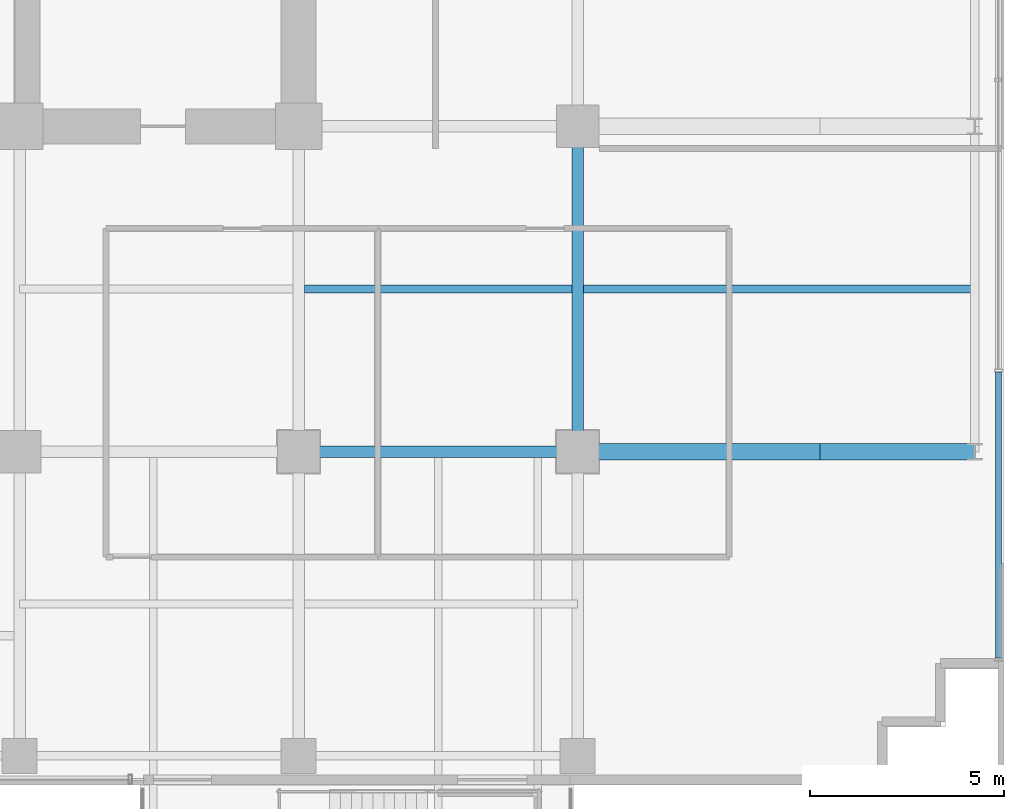
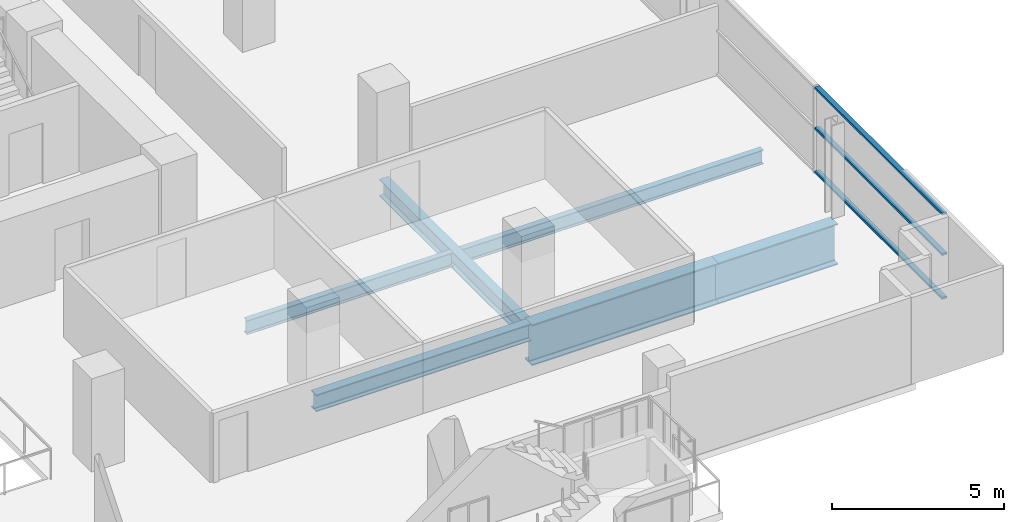
# One storey, part 12 of 31: 6 beams, 3 members, 1 element without a shape of its own.
"""IFC4 building model written with IfcOpenShell, lengths in metres."""

from ifc_helpers import new_model, si_unit, direction, frame, origin, origin_2d, place, context, subcontext, project, spatial, hollow_rectangle, i_section, extrude, source, transform, mapped, material, layer, layer_set, material_profile, profile_set, type_object, element, aggregate, save


model = new_model("IFC4")

# Units and contexts
model_context = context("Model", 3, precision=1e-05, world=origin(), true_north=direction((0.0, 1.0)))
body_context = subcontext(model_context, "Body", "Model", "MODEL_VIEW")
ifc_project = project(units=[si_unit("LENGTHUNIT", "METRE"), si_unit("AREAUNIT", "SQUARE_METRE"), si_unit("VOLUMEUNIT", "CUBIC_METRE"), si_unit("PLANEANGLEUNIT", "RADIAN"), si_unit("MASSUNIT", "GRAM", prefix="KILO")], contexts=[model_context])

# Site, building, storey
site_placement = place(None, origin())
site = spatial("IfcSite", under=ifc_project, at=site_placement, CompositionType="ELEMENT")
building_placement = place(site_placement, origin())
building = spatial("IfcBuilding", under=site, at=building_placement, Name="Zarnakvel Exchange Tower", CompositionType="ELEMENT")
storey_placement = place(building_placement, frame((0.0, 0.0, 53.800048828125)))
storey = spatial("IfcBuildingStorey", under=building, at=storey_placement, Name="L14", CompositionType="ELEMENT", Elevation=53.800048828125)

# Beams
ifc_material_1 = material(Name="Steel S355", Category="steel")
ifc_material_profile_1 = material_profile(ifc_material_1, i_section(OverallWidth=0.199951171875, OverallDepth=0.5, WebThickness=0.01025390625, FlangeThickness=0.01611328125, FilletRadius=0.02099609375, at=origin_2d()))
ifc_profile_set_1 = profile_set([ifc_material_profile_1], Name="Steel S355")
beam_type_1 = type_object("IfcBeamType", Name="B-04", PredefinedType="JOIST", material=ifc_profile_set_1)
beam_1_placement = place(storey_placement, frame((14.550048828125, -5.39990234375, -0.47509765625), z_axis=(1.0, 0.0, 0.0), x_axis=(0.0, 1.0, 0.0)))
element("IfcBeam", 1, at=beam_1_placement, inside=storey, type_object=beam_type_1, Name="L14 Composite Floor Secondary Joist", PredefinedType="JOIST", context=body_context, shape_type="SweptSolid", body=[
    extrude(i_section(OverallWidth=0.199951171875, OverallDepth=0.5, WebThickness=0.01025390625, FlangeThickness=0.01611328125, FilletRadius=0.02099609375, at=origin_2d()), origin(), (0.0, 0.0, 1.0), 6.89990234375),
])
beam_2_placement = place(storey_placement, frame((21.75, -5.39990234375, -0.47509765625), z_axis=(1.0, 0.0, 0.0), x_axis=(0.0, 1.0, 0.0)))
element("IfcBeam", 2, at=beam_2_placement, inside=storey, type_object=beam_type_1, Name="L14 Composite Floor Secondary Joist", PredefinedType="JOIST", context=body_context, shape_type="SweptSolid", body=[
    extrude(i_section(OverallWidth=0.199951171875, OverallDepth=0.5, WebThickness=0.01025390625, FlangeThickness=0.01611328125, FilletRadius=0.02099609375, at=origin_2d()), origin(), (0.0, 0.0, 1.0), 10.10009765625),
])
ifc_material_profile_2 = material_profile(ifc_material_1, i_section(OverallWidth=0.300048828125, OverallDepth=0.60009765625, WebThickness=0.015380859375, FlangeThickness=0.030029296875, FilletRadius=0.027099609375, at=origin_2d()))
ifc_profile_set_2 = profile_set([ifc_material_profile_2], Name="Steel S355")
beam_type_2 = type_object("IfcBeamType", Name="G-04", PredefinedType="BEAM", material=ifc_profile_set_2)
beam_3_placement = place(storey_placement, frame((14.39990234375, -9.60009765625, -0.525146484375), z_axis=(1.0, 0.0, 0.0), x_axis=(0.0, 1.0, 0.0)))
element("IfcBeam", 3, at=beam_3_placement, inside=storey, type_object=beam_type_2, Name="L14 Tower E-W Frame Beam", PredefinedType="BEAM", context=body_context, shape_type="SweptSolid", body=[
    extrude(i_section(OverallWidth=0.300048828125, OverallDepth=0.60009765625, WebThickness=0.015380859375, FlangeThickness=0.030029296875, FilletRadius=0.027099609375, at=origin_2d()), origin(), (0.0, 0.0, 1.0), 7.2001953125),
])
beam_4_placement = place(storey_placement, frame((21.60009765625, -9.60009765625, -0.525146484375), z_axis=(0.0, 1.0, 0.0), x_axis=(-1.0, 0.0, 0.0)))
element("IfcBeam", 4, at=beam_4_placement, inside=storey, type_object=beam_type_2, Name="L14 Tower N-S Frame Beam", PredefinedType="BEAM", context=body_context, shape_type="SweptSolid", body=[
    extrude(i_section(OverallWidth=0.300048828125, OverallDepth=0.60009765625, WebThickness=0.015380859375, FlangeThickness=0.030029296875, FilletRadius=0.027099609375, at=origin_2d()), origin(), (0.0, 0.0, 1.0), 8.400146484375),
])
ifc_material_2 = material(Name="Steel S460", Category="steel")
ifc_material_profile_3 = material_profile(ifc_material_2, i_section(OverallWidth=0.419921875, OverallDepth=1.449951171875, WebThickness=0.02392578125, FlangeThickness=0.0400390625, FilletRadius=0.030029296875, at=origin_2d()))
ifc_profile_set_3 = profile_set([ifc_material_profile_3], Name="Steel S460")
beam_type_3 = type_object("IfcBeamType", Name="TG-01", PredefinedType="BEAM", material=ifc_profile_set_3)
beam_5_placement = place(storey_placement, frame((21.60009765625, -9.60009765625, -0.949951171875), z_axis=(1.0, 0.0, 0.0), x_axis=(0.0, 1.0, 0.0)))
element("IfcBeam", 5, at=beam_5_placement, inside=storey, type_object=beam_type_3, Name="L14 Block-Shift Backspan Transfer TE-C", PredefinedType="BEAM", context=body_context, shape_type="SweptSolid", body=[
    extrude(i_section(OverallWidth=0.419921875, OverallDepth=1.449951171875, WebThickness=0.02392578125, FlangeThickness=0.0400390625, FilletRadius=0.030029296875, at=origin_2d()), origin(), (0.0, 0.0, 1.0), 6.25),
])
beam_6_placement = place(storey_placement, frame((27.85009765625, -9.60009765625, -0.949951171875), z_axis=(1.0, 0.0, 0.0), x_axis=(0.0, 1.0, 0.0)))
element("IfcBeam", 6, at=beam_6_placement, inside=storey, type_object=beam_type_3, Name="L14 Block-Shift Cantilever Transfer TE-C", PredefinedType="BEAM", context=body_context, shape_type="SweptSolid", body=[
    extrude(i_section(OverallWidth=0.419921875, OverallDepth=1.449951171875, WebThickness=0.02392578125, FlangeThickness=0.0400390625, FilletRadius=0.030029296875, at=origin_2d()), origin(), (0.0, 0.0, 1.0), 4.0),
])

# Curtain wall, members
ifc_material_3 = material(Name="Architectural Bronze Anodised Aluminium", Category="aluminium")
ifc_layer = layer(ifc_material_3, 0.199951171875)
ifc_layer_set = layer_set([ifc_layer], Name="Architectural Bronze Anodised Aluminium")
curtain_wall_type = type_object("IfcCurtainWallType", Name="CW-04", PredefinedType="NOTDEFINED", material=ifc_layer_set)
curtain_wall_placement = place(storey_placement, origin())
curtain_wall = element("IfcCurtainWall", 7, at=curtain_wall_placement, inside=storey, type_object=curtain_wall_type, Name="L14 Curtain Wall CW-L14-E1 (CW-04)", PredefinedType="NOTDEFINED")
ifc_material_profile_4 = material_profile(ifc_material_3, hollow_rectangle(XDim=0.159912109375, YDim=0.074951171875, WallThickness=0.00390625, at=origin_2d()))
ifc_profile_set_4 = profile_set([ifc_material_profile_4], Name="Architectural Bronze Anodised Aluminium")
member_type = type_object("IfcMemberType", Name="CWT-04", PredefinedType="USERDEFINED", material=ifc_profile_set_4)
shared_shape = source(origin(), body_context, "Body", "SweptSolid", [
    extrude(hollow_rectangle(XDim=0.159912109375, YDim=0.074951171875, WallThickness=0.00390625, at=origin_2d()), origin(), (0.0, 0.0, 1.0), 7.387451171875),
])
member_1_placement = place(storey_placement, frame((32.4599609375, -14.925048828125, 0.037353515625), z_axis=(0.0, 1.0, 0.0), x_axis=(-1.0, 0.0, 0.0)))
member_1 = element("IfcMember", 8, at=member_1_placement, type_object=member_type, Name="CW-04 transom 1.1", ObjectType="TRANSOM", PredefinedType="USERDEFINED", context=body_context, shape_type="MappedRepresentation", body=[
    mapped(shared_shape, transform((0.0, 0.0, 0.0), x_axis=(1.0, 0.0, 0.0), y_axis=(0.0, 1.0, 0.0), z_axis=(0.0, 0.0, 1.0), scale=1.0)),
])
member_2_placement = place(storey_placement, frame((32.4599609375, -14.925048828125, 1.588623046875), z_axis=(0.0, 1.0, 0.0), x_axis=(-1.0, 0.0, 0.0)))
member_2 = element("IfcMember", 9, at=member_2_placement, type_object=member_type, Name="CW-04 transom 1.2", ObjectType="TRANSOM", PredefinedType="USERDEFINED", context=body_context, shape_type="MappedRepresentation", body=[
    mapped(shared_shape, transform((0.0, 0.0, 0.0), x_axis=(1.0, 0.0, 0.0), y_axis=(0.0, 1.0, 0.0), z_axis=(0.0, 0.0, 1.0), scale=1.0)),
])
member_3_placement = place(storey_placement, frame((32.4599609375, -14.925048828125, 3.017333984375), z_axis=(0.0, 1.0, 0.0), x_axis=(-1.0, 0.0, 0.0)))
member_3 = element("IfcMember", 10, at=member_3_placement, type_object=member_type, Name="CW-04 transom 1.3", ObjectType="TRANSOM", PredefinedType="USERDEFINED", context=body_context, shape_type="MappedRepresentation", body=[
    mapped(shared_shape, transform((0.0, 0.0, 0.0), x_axis=(1.0, 0.0, 0.0), y_axis=(0.0, 1.0, 0.0), z_axis=(0.0, 0.0, 1.0), scale=1.0)),
])
aggregate(curtain_wall, [member_1, member_2, member_3])

save(model, "model.ifc")
